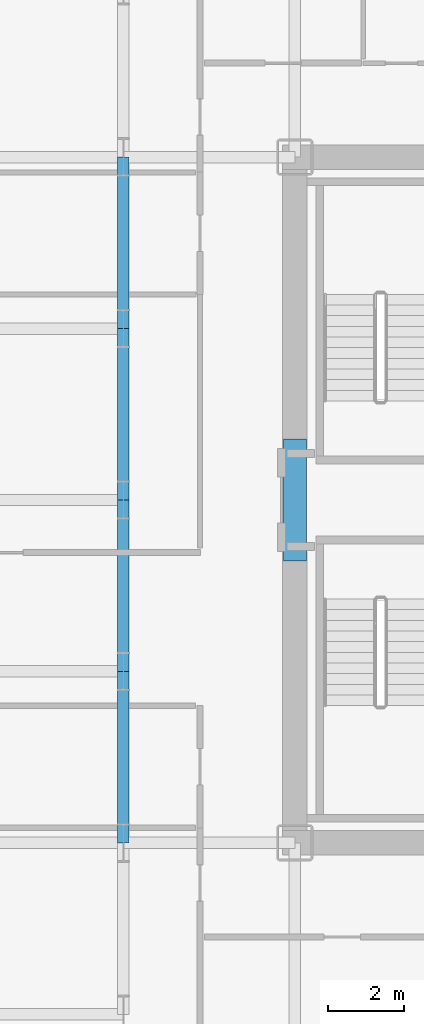
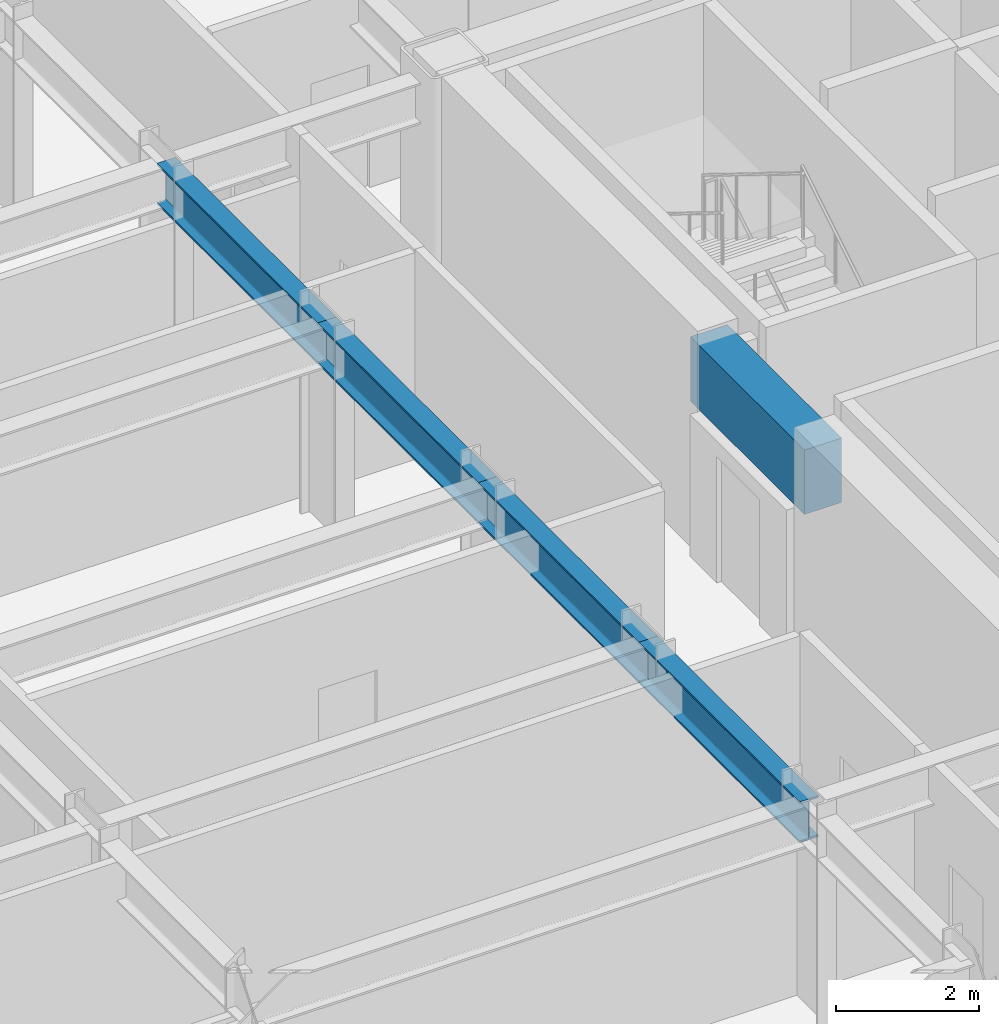
# One storey, part 7 of 29: 5 beams.
"""IFC4 building model written with IfcOpenShell, lengths in metres."""

import ifcopenshell
import ifcopenshell.guid

model = None  # the IFC model being written
_history = None  # IfcOwnerHistory: only IFC2X3 demands one
_inside = {}  # id of a spatial element -> (the spatial element, [elements in it])
_under = {}  # id of a project, library or spatial element -> (it, [spatial elements below it])
_declared = {}  # id of a project -> (the project, [libraries it declares])
_typed = {}  # id of a type object -> (the type object, [elements of that type])
_made_of = {}  # id of a material, layer set ... -> (it, [elements and type objects made of it])


def new_model(schema):
    """Start an empty IFC model of exactly this schema.

    Asked for "IFC4X3", IfcOpenShell would pick the latest addendum, in which some entities
    have other attributes; the version numbers below select the first issue.
    IFC2X3 requires an IfcOwnerHistory on every rooted entity: one is made here for all.
    """
    global model, _history
    if schema == "IFC4X3":
        model = ifcopenshell.file(schema_version=(4, 3, 0, 0))
    else:
        model = ifcopenshell.file(schema=schema)
    _inside.clear()
    _under.clear()
    _declared.clear()
    _typed.clear()
    _made_of.clear()
    _history = None
    if model.schema == "IFC2X3":
        org = make("IfcOrganization", Name="unknown")
        user = make(
            "IfcPersonAndOrganization",
            ThePerson=make("IfcPerson", FamilyName="unknown"),
            TheOrganization=org,
        )
        app = make(
            "IfcApplication",
            ApplicationDeveloper=org,
            Version="unknown",
            ApplicationFullName="unknown",
            ApplicationIdentifier="unknown",
        )
        _history = make(
            "IfcOwnerHistory",
            OwningUser=user,
            OwningApplication=app,
            ChangeAction="ADDED",
            CreationDate=0,
        )
    return model


def make(cls, **values):
    """One entity of the class cls with the attributes given. An attribute that is None is left unset."""
    return model.create_entity(
        cls, **{name: value for name, value in values.items() if value is not None}
    )


def rooted(cls, **values):
    """An entity with a GlobalId (a new one), such as an element, a storey or a relation."""
    return make(cls, GlobalId=ifcopenshell.guid.new(), OwnerHistory=_history, **values)


def si_unit(unit_type, name, prefix=None):
    """IfcSIUnit, for example si_unit("LENGTHUNIT", "METRE", prefix="MILLI")."""
    return make("IfcSIUnit", UnitType=unit_type, Prefix=prefix, Name=name)


def assignment(units):
    """IfcUnitAssignment: the units of a project."""
    return None if units is None else make("IfcUnitAssignment", Units=units)


def point(xyz):
    """IfcCartesianPoint."""
    return None if xyz is None else make("IfcCartesianPoint", Coordinates=xyz)


def direction(xyz):
    """IfcDirection."""
    return None if xyz is None else make("IfcDirection", DirectionRatios=xyz)


def frame(location, z_axis=None, x_axis=None):
    """IfcAxis2Placement3D, a coordinate frame: its origin and axes. An axis left out is left unset."""
    return make(
        "IfcAxis2Placement3D",
        Location=point(location),
        Axis=direction(z_axis),
        RefDirection=direction(x_axis),
    )


def frame_2d(location, x_axis=None):
    """IfcAxis2Placement2D, a coordinate frame in the plane: its origin and x axis."""
    return make(
        "IfcAxis2Placement2D", Location=point(location), RefDirection=direction(x_axis)
    )


def origin():
    """The frame at (0, 0, 0) with its axes left unset."""
    return frame((0.0, 0.0, 0.0))


def origin_2d():
    """The frame at (0, 0) in the plane with its x axis left unset."""
    return frame_2d((0.0, 0.0))


def place(relative_to, where):
    """IfcLocalPlacement: puts the frame where relative to a parent placement (None: the world)."""
    return make(
        "IfcLocalPlacement", PlacementRelTo=relative_to, RelativePlacement=where
    )


def context(
    kind, dimensions, precision=None, world=None, true_north=None, identifier=None
):
    """IfcGeometricRepresentationContext, for example the 3D "Model" context."""
    return make(
        "IfcGeometricRepresentationContext",
        ContextIdentifier=identifier,
        ContextType=kind,
        CoordinateSpaceDimension=dimensions,
        Precision=precision,
        WorldCoordinateSystem=world,
        TrueNorth=true_north,
    )


def subcontext(parent, identifier, kind, view, scale=None):
    """IfcGeometricRepresentationSubContext, for example "Body" below "Model"."""
    return make(
        "IfcGeometricRepresentationSubContext",
        ContextIdentifier=identifier,
        ContextType=kind,
        ParentContext=parent,
        TargetScale=scale,
        TargetView=view,
    )


def project(units=None, contexts=None):
    """IfcProject with its units and contexts."""
    return rooted(
        "IfcProject",
        Name="project",
        RepresentationContexts=contexts,
        UnitsInContext=assignment(units),
    )


def spatial(cls, under=None, at=None, **own):
    """A site, building, storey or space (cls), placed at a placement, below another one or the project."""
    s = rooted(cls, ObjectPlacement=at, **own)
    if under is not None:
        _under.setdefault(under.id(), (under, []))[1].append(s)
    return s


def profile(cls, at=None, kind="AREA", **sizes):
    """A parametric profile (cls). Its sizes go by their IFC names, for example OverallWidth=200.0."""
    return make(cls, ProfileType=kind, Position=at, **sizes)


def rectangle(**sizes):
    """IfcRectangleProfileDef."""
    return profile("IfcRectangleProfileDef", **sizes)


def i_section(**sizes):
    """IfcIShapeProfileDef."""
    return profile("IfcIShapeProfileDef", **sizes)


def extrude(swept, where, along, depth):
    """IfcExtrudedAreaSolid: the profile swept, set in the frame where, extruded along a direction by depth."""
    return make(
        "IfcExtrudedAreaSolid",
        SweptArea=swept,
        Position=where,
        ExtrudedDirection=direction(along),
        Depth=depth,
    )


def shape(context_of_items, identifier, shape_type, items):
    """IfcShapeRepresentation: the items that make up one representation, for example the "Body"."""
    return make(
        "IfcShapeRepresentation",
        ContextOfItems=context_of_items,
        RepresentationIdentifier=identifier,
        RepresentationType=shape_type,
        Items=items,
    )


def source(mapping_origin, context_of_items, identifier, shape_type, items):
    """IfcRepresentationMap: a shape defined once, which mapped items show again and again."""
    return make(
        "IfcRepresentationMap",
        MappingOrigin=mapping_origin,
        MappedRepresentation=shape(context_of_items, identifier, shape_type, items),
    )


def transform(
    local_origin,
    x_axis=None,
    y_axis=None,
    z_axis=None,
    scale=None,
    scale2=None,
    scale3=None,
    uniform=True,
):
    """IfcCartesianTransformationOperator3D, or its non-uniform kind. x_axis, y_axis, z_axis: its Axis1, 2, 3."""
    if uniform:
        return make(
            "IfcCartesianTransformationOperator3D",
            Axis1=direction(x_axis),
            Axis2=direction(y_axis),
            LocalOrigin=point(local_origin),
            Scale=scale,
            Axis3=direction(z_axis),
        )
    return make(
        "IfcCartesianTransformationOperator3DnonUniform",
        Axis1=direction(x_axis),
        Axis2=direction(y_axis),
        LocalOrigin=point(local_origin),
        Scale=scale,
        Axis3=direction(z_axis),
        Scale2=scale2,
        Scale3=scale3,
    )


def mapped(mapping_source, mapping_target):
    """IfcMappedItem: shows the shape of a source again, moved by a transform."""
    return make(
        "IfcMappedItem", MappingSource=mapping_source, MappingTarget=mapping_target
    )


def material(Name=None, Category=None):
    """IfcMaterial."""
    return make("IfcMaterial", Name=Name, Category=Category)


def material_profile(
    of_material, cross_section, Name=None, Category=None, Priority=None
):
    """IfcMaterialProfile: a cross section and its material."""
    return make(
        "IfcMaterialProfile",
        Name=Name,
        Material=of_material,
        Profile=cross_section,
        Priority=Priority,
        Category=Category,
    )


def profile_set(profiles, Name=None, composite=None):
    """IfcMaterialProfileSet."""
    return make(
        "IfcMaterialProfileSet",
        Name=Name,
        MaterialProfiles=profiles,
        CompositeProfile=composite,
    )


def made_of(thing, what):
    """Note that an element or type object is made of a material, layer set ...; save() writes the relation."""
    if what is not None:
        _made_of.setdefault(what.id(), (what, []))[1].append(thing)
    return thing


def type_object(cls, material=None, **own):
    """A type object (cls), such as IfcWallType, which elements share."""
    return made_of(rooted(cls, **own), material)


def element(
    cls,
    number,
    at=None,
    inside=None,
    cuts=None,
    type_object=None,
    material=None,
    context=None,
    identifier="Body",
    shape_type=None,
    held_by="IfcProductDefinitionShape",
    body=None,
    shapes=None,
    **own,
):
    """One element of the class cls, such as IfcWall. Its Tag is "e" and its number.

    at: its placement. inside: the storey or other place that contains it. cuts: it is an
    opening in that element (IfcRelVoidsElement). A single representation is given by context,
    identifier, shape_type and body (its items); several are given by shapes. held_by: the class
    of the entity that holds the representations. save() writes the other relations.
    """
    e = rooted(cls, Tag="e%d" % number, ObjectPlacement=at, **own)
    if body is not None:
        shapes = [shape(context, identifier, shape_type, body)]
    if shapes is not None:
        e.Representation = make(held_by, Representations=shapes)
    if inside is not None:
        _inside.setdefault(inside.id(), (inside, []))[1].append(e)
    if cuts is not None:
        rooted(
            "IfcRelVoidsElement", RelatingBuildingElement=cuts, RelatedOpeningElement=e
        )
    if type_object is not None:
        _typed.setdefault(type_object.id(), (type_object, []))[1].append(e)
    return made_of(e, material)


def aggregate(whole, parts):
    """IfcRelAggregates: a whole, such as a stair, and the parts it consists of."""
    return rooted("IfcRelAggregates", RelatingObject=whole, RelatedObjects=parts)


def save(model, path):
    """Write the relations noted so far, then the file.

    IfcRelAggregates (storeys below a building ...), IfcRelContainedInSpatialStructure (elements
    in a storey), IfcRelDefinesByType, IfcRelAssociatesMaterial and IfcRelDeclares: one each for
    every whole, place, type object, material and project.
    """
    for whole, parts in _under.values():
        aggregate(whole, parts)
    for where, things in _inside.values():
        rooted(
            "IfcRelContainedInSpatialStructure",
            RelatedElements=things,
            RelatingStructure=where,
        )
    for kind, things in _typed.values():
        rooted("IfcRelDefinesByType", RelatedObjects=things, RelatingType=kind)
    for what, things in _made_of.values():
        rooted("IfcRelAssociatesMaterial", RelatedObjects=things, RelatingMaterial=what)
    for by, libraries in _declared.values():
        rooted("IfcRelDeclares", RelatingContext=by, RelatedDefinitions=libraries)
    model.write(path)


model = new_model("IFC4")

# Units and contexts
model_context = context("Model", 3, precision=1e-05, world=origin(), true_north=direction((0.0, 1.0)))
body_context = subcontext(model_context, "Body", "Model", "MODEL_VIEW")
ifc_project = project(units=[si_unit("LENGTHUNIT", "METRE"), si_unit("AREAUNIT", "SQUARE_METRE"), si_unit("VOLUMEUNIT", "CUBIC_METRE"), si_unit("PLANEANGLEUNIT", "RADIAN"), si_unit("MASSUNIT", "GRAM", prefix="KILO")], contexts=[model_context])

# Site, building, storey
site_placement = place(None, origin())
site = spatial("IfcSite", under=ifc_project, at=site_placement, CompositionType="ELEMENT")
building_placement = place(site_placement, origin())
building = spatial("IfcBuilding", under=site, at=building_placement, Name="Nefas-Gora Pilgrimage Tower", CompositionType="ELEMENT")
storey_placement = place(building_placement, frame((0.0, 0.0, 67.199951171875)))
storey = spatial("IfcBuildingStorey", under=building, at=storey_placement, Name="L15", CompositionType="ELEMENT", Elevation=67.199951171875)

# Beams
ifc_material_1 = material(Name="Concrete C60/75", Category="concrete")
ifc_material_profile_1 = material_profile(ifc_material_1, rectangle(XDim=0.60009765625, YDim=1.10009765625, at=origin_2d()), Name="RC 600x1100")
ifc_profile_set_1 = profile_set([ifc_material_profile_1], Name="Concrete C60/75")
beam_type_1 = type_object("IfcBeamType", Name="BM-LIN-RC1100", PredefinedType="LINTEL", material=ifc_profile_set_1)
shared_shape_1 = source(origin(), body_context, "Body", "SweptSolid", [
    extrude(rectangle(XDim=0.60009765625, YDim=1.10009765625, at=origin_2d()), origin(), (0.0, 0.0, 1.0), 3.2001953125),
])
beam_placement = place(storey_placement, frame((-11.25, -1.60009765625, 3.0), z_axis=(0.0, 1.0, 0.0), x_axis=(-1.0, 0.0, 0.0)))
element("IfcBeam", 1, at=beam_placement, inside=storey, type_object=beam_type_1, Name="L15 Core Coupling Lintel Beam W", PredefinedType="LINTEL", context=body_context, shape_type="MappedRepresentation", body=[
    mapped(shared_shape_1, transform((0.0, 0.0, 0.0), x_axis=(1.0, 0.0, 0.0), y_axis=(0.0, 1.0, 0.0), z_axis=(0.0, 0.0, 1.0), scale=1.0)),
])
ifc_material_2 = material(Name="Steel S355", Category="steel")
ifc_material_profile_2 = material_profile(ifc_material_2, i_section(OverallWidth=0.300048828125, OverallDepth=0.699951171875, WebThickness=0.01708984375, FlangeThickness=0.031982421875, FilletRadius=0.027099609375, at=origin_2d()), Name="HEB 700")
ifc_profile_set_2 = profile_set([ifc_material_profile_2], Name="Steel S355")
beam_type_2 = type_object("IfcBeamType", Name="BM-GIR-HEB700", PredefinedType="BEAM", material=ifc_profile_set_2)
shared_shape_2 = source(origin(), body_context, "Body", "SweptSolid", [
    extrude(i_section(OverallWidth=0.300048828125, OverallDepth=0.699951171875, WebThickness=0.01708984375, FlangeThickness=0.031982421875, FilletRadius=0.027099609375, at=origin_2d()), origin(), (0.0, 0.0, 1.0), 4.5),
])
for number, where, z_axis, x_axis, name in (
    (2, (-15.75, -9.0, 3.199951171875), (0.0, 1.0, 0.0), (-1.0, 0.0, 0.0), "L15 G-02 beam"),
    (3, (-15.75, -4.5, 3.199951171875), (0.0, 1.0, 0.0), (-1.0, 0.0, 0.0), "L15 G-02 beam"),
    (4, (-15.75, 0.0, 3.199951171875), (0.0, 1.0, 0.0), (-1.0, 0.0, 0.0), "L15 G-02 beam"),
    (5, (-15.75, 4.5, 3.199951171875), (0.0, 1.0, 0.0), (-1.0, 0.0, 0.0), "L15 G-02 beam"),
):
    element("IfcBeam", number, at=place(storey_placement, frame(where, z_axis=z_axis, x_axis=x_axis)), inside=storey, type_object=beam_type_2, Name=name, PredefinedType="BEAM", context=body_context, shape_type="MappedRepresentation", body=[
        mapped(shared_shape_2, transform((0.0, 0.0, 0.0), x_axis=(1.0, 0.0, 0.0), y_axis=(0.0, 1.0, 0.0), z_axis=(0.0, 0.0, 1.0), scale=1.0)),
    ])

save(model, "model.ifc")
